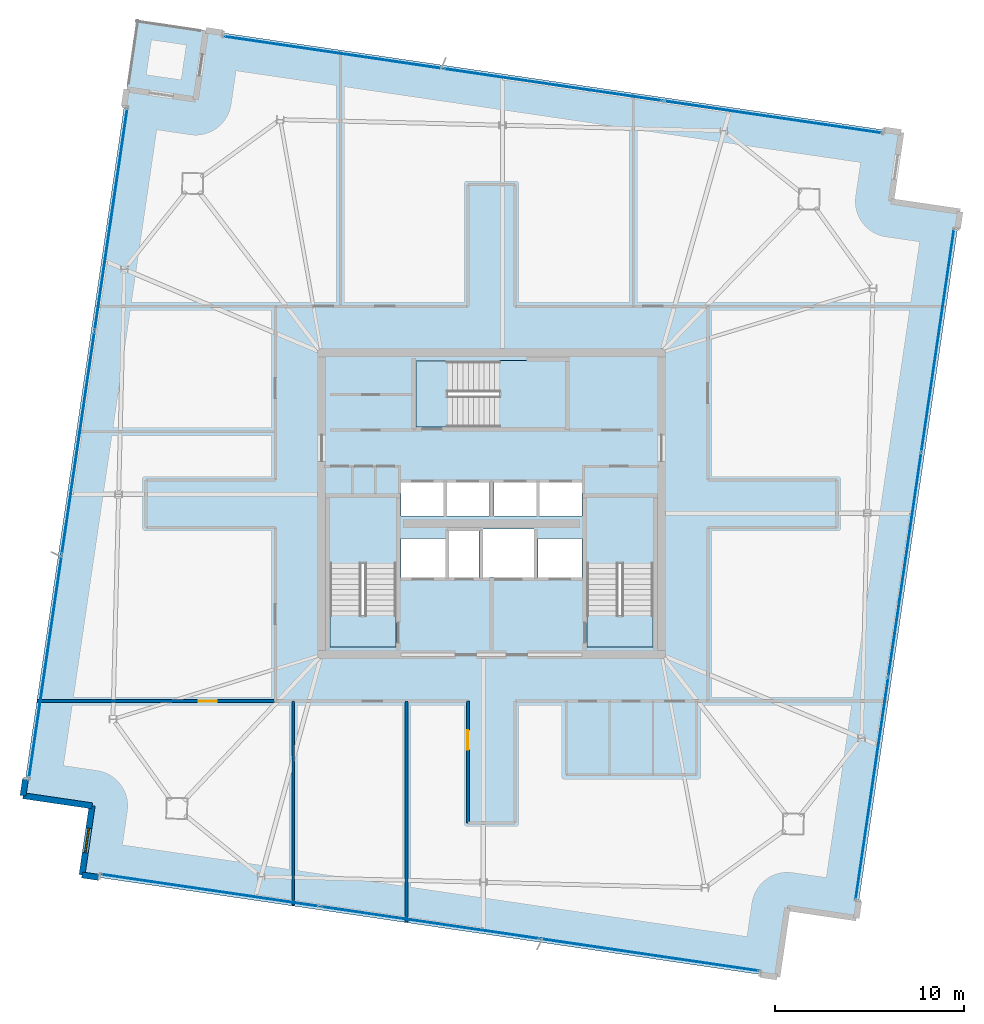
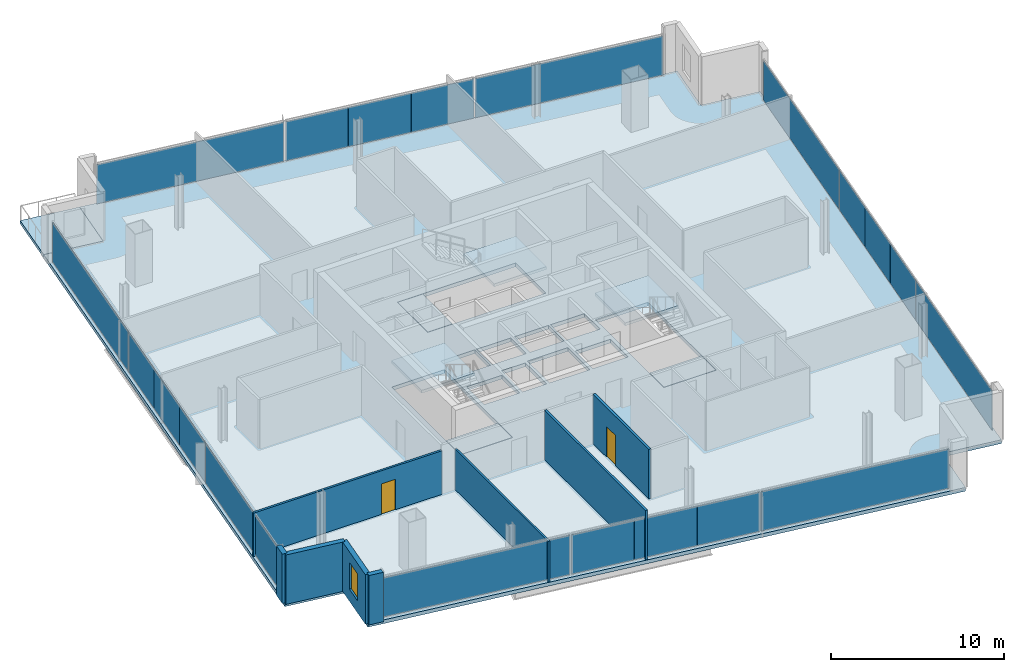
# One storey, part 16 of 22: 20 plates, 8 slabs, 8 walls, 2 doors, 1 window, 3 openings, 7 elements without a shape of their own.
"""IFC4 building model written with IfcOpenShell, lengths in metres."""

from ifc_helpers import new_model, si_unit, direction, frame, frame_2d, origin, origin_2d, place, context, subcontext, project, spatial, polyline, rectangle, outline, extrude, source, transform, mapped, material, layer, layer_set, type_object, element, fill, aggregate, save


model = new_model("IFC4")

# Units and contexts
model_context = context("Model", 3, precision=1e-05, world=origin(), true_north=direction((0.0, 1.0)))
body_context = subcontext(model_context, "Body", "Model", "MODEL_VIEW")
ifc_project = project(units=[si_unit("LENGTHUNIT", "METRE"), si_unit("AREAUNIT", "SQUARE_METRE"), si_unit("VOLUMEUNIT", "CUBIC_METRE"), si_unit("PLANEANGLEUNIT", "RADIAN"), si_unit("MASSUNIT", "GRAM", prefix="KILO")], contexts=[model_context])

# Site, building, storey
site_placement = place(None, origin())
site = spatial("IfcSite", under=ifc_project, at=site_placement, CompositionType="ELEMENT")
building_placement = place(site_placement, origin())
building = spatial("IfcBuilding", under=site, at=building_placement, Name="Haldenkirk Collegiate Tower", CompositionType="ELEMENT")
storey_placement = place(building_placement, frame((0.0, 0.0, 302.699951171875)))
storey = spatial("IfcBuildingStorey", under=building, at=storey_placement, Name="L76", CompositionType="ELEMENT", Elevation=302.699951171875)

# Slab
ifc_material_1 = material(Name="Concrete f'c 40 MPa", Category="concrete")
ifc_layer_1 = layer(ifc_material_1, 0.260009765625)
ifc_layer_set_1 = layer_set([ifc_layer_1], Name="Concrete f'c 40 MPa")
slab_type_1 = type_object("IfcSlabType", Name="SLB-FLR-260", PredefinedType="FLOOR", material=ifc_layer_set_1)
slab_1_placement = place(storey_placement, frame((0.0, 0.0, -0.260009765625)))
element("IfcSlab", 1, at=slab_1_placement, inside=storey, type_object=slab_type_1, Name="L76 composite structural floor slab", PredefinedType="FLOOR", context=body_context, shape_type="SweptSolid", body=[
    extrude(outline(polyline([(55.319091796875, 4.06201171875), (60.808349609375, 41.461181640625), (57.1474609375, 41.99853515625), (57.684814453125, 45.6591796875), (20.879150390625, 51.0615234375), (20.341796875, 47.400634765625), (16.680908203125, 47.93798828125), (11.191650390625, 10.538818359375), (14.8525390625, 10.00146484375), (14.315185546875, 6.3408203125), (51.120849609375, 0.9384765625), (51.658203125, 4.599365234375), (55.319091796875, 4.06201171875)]), holes=[polyline([(27.449951171875, 18.39990234375), (30.949951171875, 18.39990234375), (30.949951171875, 26.300048828125), (27.449951171875, 26.300048828125), (27.449951171875, 18.39990234375)]), polyline([(41.050048828125, 18.39990234375), (44.550048828125, 18.39990234375), (44.550048828125, 26.300048828125), (41.050048828125, 26.300048828125), (41.050048828125, 18.39990234375)]), polyline([(32.0, 30.050048828125), (39.89990234375, 30.050048828125), (39.89990234375, 33.550048828125), (32.0, 33.550048828125), (32.0, 30.050048828125)]), polyline([(33.75, 22.10009765625), (35.35009765625, 22.10009765625), (35.35009765625, 24.550048828125), (33.75, 24.550048828125), (33.75, 22.10009765625)]), polyline([(31.199951171875, 25.35009765625), (33.47998046875, 25.35009765625), (33.47998046875, 27.14990234375), (31.199951171875, 27.14990234375), (31.199951171875, 25.35009765625)]), polyline([(33.60009765625, 25.35009765625), (35.8798828125, 25.35009765625), (35.8798828125, 27.14990234375), (33.60009765625, 27.14990234375), (33.60009765625, 25.35009765625)]), polyline([(36.1201171875, 25.35009765625), (38.39990234375, 25.35009765625), (38.39990234375, 27.14990234375), (36.1201171875, 27.14990234375), (36.1201171875, 25.35009765625)]), polyline([(38.52001953125, 25.35009765625), (40.800048828125, 25.35009765625), (40.800048828125, 27.14990234375), (38.52001953125, 27.14990234375), (38.52001953125, 25.35009765625)]), polyline([(31.199951171875, 22.10009765625), (33.550048828125, 22.10009765625), (33.550048828125, 24.14990234375), (31.199951171875, 24.14990234375), (31.199951171875, 22.10009765625)]), polyline([(38.449951171875, 22.10009765625), (40.800048828125, 22.10009765625), (40.800048828125, 24.14990234375), (38.449951171875, 24.14990234375), (38.449951171875, 22.10009765625)]), polyline([(35.550048828125, 22.10009765625), (38.25, 22.10009765625), (38.25, 24.64990234375), (35.550048828125, 24.64990234375), (35.550048828125, 22.10009765625)])]), origin(), (0.0, 0.0, 1.0), 0.260009765625),
])

# Stair, slab
stair_type = type_object("IfcStairType", Name="STR-DOGLEG-1650", PredefinedType="HALF_TURN_STAIR", material=ifc_material_1)
stair_1_placement = place(storey_placement, origin())
stair_1 = element("IfcStair", 2, at=stair_1_placement, inside=storey, type_object=stair_type, Name="L76 Core Exit Stair ST-1", PredefinedType="HALF_TURN_STAIR")
ifc_layer_2 = layer(ifc_material_1, 0.199951171875)
ifc_layer_set_2 = layer_set([ifc_layer_2], Name="Concrete f'c 40 MPa")
slab_type_2 = type_object("IfcSlabType", Name="SLB-LANDING-200", PredefinedType="LANDING", material=ifc_layer_set_2)
slab_2_placement = place(storey_placement, frame((0.0, 0.0, 1.675048828125)))
slab_2 = element("IfcSlab", 3, at=slab_2_placement, type_object=slab_type_2, Name="ST-1 landing 1", PredefinedType="LANDING", context=body_context, shape_type="SweptSolid", body=[
    extrude(outline(polyline([(30.97509765625, 22.824951171875), (27.425048828125, 22.824951171875), (27.425048828125, 26.324951171875), (30.97509765625, 26.324951171875), (30.97509765625, 22.824951171875)])), origin(), (0.0, 0.0, 1.0), 0.199951171875),
])
aggregate(stair_1, [slab_2])

stair_2_placement = place(storey_placement, origin())
stair_2 = element("IfcStair", 4, at=stair_2_placement, inside=storey, type_object=stair_type, Name="L76 Core Exit Stair ST-2", PredefinedType="HALF_TURN_STAIR")
slab_3_placement = place(storey_placement, frame((0.0, 0.0, 1.675048828125)))
slab_3 = element("IfcSlab", 5, at=slab_3_placement, type_object=slab_type_2, Name="ST-2 landing 1", PredefinedType="LANDING", context=body_context, shape_type="SweptSolid", body=[
    extrude(outline(polyline([(44.574951171875, 22.824951171875), (41.02490234375, 22.824951171875), (41.02490234375, 26.324951171875), (44.574951171875, 26.324951171875), (44.574951171875, 22.824951171875)])), origin(), (0.0, 0.0, 1.0), 0.199951171875),
])
aggregate(stair_2, [slab_3])

stair_3_placement = place(storey_placement, origin())
stair_3 = element("IfcStair", 6, at=stair_3_placement, inside=storey, type_object=stair_type, Name="L76 Core Exit Stair ST-3", PredefinedType="HALF_TURN_STAIR")
slab_4_placement = place(storey_placement, frame((0.0, 0.0, 1.675048828125)))
slab_4 = element("IfcSlab", 7, at=slab_4_placement, type_object=slab_type_2, Name="ST-3 landing 1", PredefinedType="LANDING", context=body_context, shape_type="SweptSolid", body=[
    extrude(outline(polyline([(36.425048828125, 30.02490234375), (36.425048828125, 33.574951171875), (39.925048828125, 33.574951171875), (39.925048828125, 30.02490234375), (36.425048828125, 30.02490234375)])), origin(), (0.0, 0.0, 1.0), 0.199951171875),
])
aggregate(stair_3, [slab_4])

# Slabs
ifc_layer_3 = layer(ifc_material_1, 0.25)
ifc_layer_set_3 = layer_set([ifc_layer_3], Name="Concrete f'c 40 MPa")
slab_type_3 = type_object("IfcSlabType", Name="SLB-STAIRLAND-250", PredefinedType="LANDING", material=ifc_layer_set_3)
slab_5_placement = place(storey_placement, frame((0.0, 0.0, -0.25)))
element("IfcSlab", 8, at=slab_5_placement, inside=storey, type_object=slab_type_3, Name="L76 stair ST1 structural floor landing slab", PredefinedType="LANDING", context=body_context, shape_type="SweptSolid", body=[
    extrude(outline(polyline([(27.4599609375, 18.409912109375), (30.93994140625, 18.409912109375), (30.93994140625, 20.080078125), (27.4599609375, 20.080078125), (27.4599609375, 18.409912109375)])), origin(), (0.0, 0.0, 1.0), 0.25),
])
slab_6_placement = place(storey_placement, frame((0.0, 0.0, -0.25)))
element("IfcSlab", 9, at=slab_6_placement, inside=storey, type_object=slab_type_3, Name="L76 stair ST2 structural floor landing slab", PredefinedType="LANDING", context=body_context, shape_type="SweptSolid", body=[
    extrude(outline(polyline([(41.06005859375, 18.409912109375), (44.5400390625, 18.409912109375), (44.5400390625, 20.080078125), (41.06005859375, 20.080078125), (41.06005859375, 18.409912109375)])), origin(), (0.0, 0.0, 1.0), 0.25),
])
slab_7_placement = place(storey_placement, frame((0.0, 0.0, -0.25)))
element("IfcSlab", 10, at=slab_7_placement, inside=storey, type_object=slab_type_3, Name="L76 stair ST3 structural floor landing slab", PredefinedType="LANDING", context=body_context, shape_type="SweptSolid", body=[
    extrude(outline(polyline([(32.010009765625, 30.06005859375), (33.679931640625, 30.06005859375), (33.679931640625, 33.5400390625), (32.010009765625, 33.5400390625), (32.010009765625, 30.06005859375)])), origin(), (0.0, 0.0, 1.0), 0.25),
])
ifc_layer_4 = layer(ifc_material_1, 0.22998046875)
ifc_layer_set_4 = layer_set([ifc_layer_4], Name="Concrete f'c 40 MPa")
slab_type_4 = type_object("IfcSlabType", Name="SLB-TERR-SPIRAL-230", PredefinedType="FLOOR", material=ifc_layer_set_4)
slab_8_placement = place(storey_placement, frame((0.0, 0.0, -0.22998046875)))
element("IfcSlab", 11, at=slab_8_placement, inside=storey, type_object=slab_type_4, Name="L76 spiralling corner terrace slab", PredefinedType="FLOOR", context=body_context, shape_type="SweptSolid", body=[
    extrude(outline(polyline([(20.341796875, 47.400634765625), (20.879150390625, 51.0615234375), (17.218505859375, 51.598876953125), (16.680908203125, 47.93798828125), (20.341796875, 47.400634765625)])), origin(), (0.0, 0.0, 1.0), 0.22998046875),
])

# Curtain wall, plates
ifc_material_2 = material(Name="Anodised architectural bronze aluminium", Category="aluminium")
curtain_wall_type_1 = type_object("IfcCurtainWallType", Name="CW-SYS2-CONCAVE", PredefinedType="USERDEFINED", material=ifc_material_2)
curtain_wall_1_placement = place(storey_placement, origin())
curtain_wall_1 = element("IfcCurtainWall", 12, at=curtain_wall_1_placement, inside=storey, type_object=curtain_wall_type_1, Name="L76 South concave recessed bronze-anodised curtain wall", ObjectType="UNITISED CURTAIN WALL", PredefinedType="USERDEFINED")
ifc_material_3 = material(Name="Low-E argon triple insulating glass", Category="glass")
ifc_layer_5 = layer(ifc_material_3, 0.0419921875)
ifc_layer_set_5 = layer_set([ifc_layer_5], Name="Low-E argon triple insulating glass")
plate_type_1 = type_object("IfcPlateType", Name="CW-PNL-02", PredefinedType="CURTAIN_PANEL", material=ifc_layer_set_5)
shared_shape_1 = source(origin(), body_context, "Body", "SweptSolid", [
    extrude(rectangle(XDim=11.887451171875, YDim=0.0419921875, at=origin_2d()), origin(), (0.0, 0.0, 1.0), 2.798095703125),
])
plate_1_placement = place(storey_placement, frame((59.62548828125, 34.641845703125, 0.0751953125), z_axis=(0.0, 0.0, 1.0), x_axis=(-0.145219767539, -0.989399423446, 0.0)))
plate_1 = element("IfcPlate", 13, at=plate_1_placement, type_object=plate_type_1, Name="CW-02 panel 1.1", PredefinedType="CURTAIN_PANEL", context=body_context, shape_type="MappedRepresentation", body=[
    mapped(shared_shape_1, transform((0.0, 0.0, 0.0), x_axis=(1.0, 0.0, 0.0), y_axis=(0.0, 1.0, 0.0), z_axis=(0.0, 0.0, 1.0), scale=1.0)),
])
plate_2_placement = place(storey_placement, frame((56.145751953125, 10.93359375, 0.0751953125), z_axis=(0.0, 0.0, 1.0), x_axis=(-0.145219767539, -0.989399423446, 0.0)))
plate_2 = element("IfcPlate", 14, at=plate_2_placement, type_object=plate_type_1, Name="CW-02 panel 3.1", PredefinedType="CURTAIN_PANEL", context=body_context, shape_type="MappedRepresentation", body=[
    mapped(shared_shape_1, transform((0.0, 0.0, 0.0), x_axis=(1.0, 0.0, 0.0), y_axis=(0.0, 1.0, 0.0), z_axis=(0.0, 0.0, 1.0), scale=1.0)),
])
ifc_material_4 = material(Name="Bronze-anodised insulated aluminium spandrel panel", Category="aluminium")
ifc_layer_6 = layer(ifc_material_4, 0.0419921875)
ifc_layer_set_6 = layer_set([ifc_layer_6], Name="Bronze-anodised insulated aluminium spandrel panel")
plate_type_2 = type_object("IfcPlateType", Name="CW-SPD-02", PredefinedType="CURTAIN_PANEL", material=ifc_layer_set_6)
shared_shape_2 = source(origin(), body_context, "Body", "SweptSolid", [
    extrude(rectangle(XDim=3.96240234375, YDim=0.0419921875, at=origin_2d()), origin(), (0.0, 0.0, 1.0), 2.798095703125),
])
plate_3_placement = place(storey_placement, frame((58.463623046875, 26.726806640625, 0.0751953125), z_axis=(0.0, 0.0, 1.0), x_axis=(-0.145219767539, -0.989399423446, 0.0)))
plate_3 = element("IfcPlate", 15, at=plate_3_placement, type_object=plate_type_2, Name="CW-02 spandrel panel 2.1a", PredefinedType="CURTAIN_PANEL", context=body_context, shape_type="MappedRepresentation", body=[
    mapped(shared_shape_2, transform((0.0, 0.0, 0.0), x_axis=(1.0, 0.0, 0.0), y_axis=(0.0, 1.0, 0.0), z_axis=(0.0, 0.0, 1.0), scale=1.0)),
])
plate_4_placement = place(storey_placement, frame((57.307373046875, 18.8486328125, 0.0751953125), z_axis=(0.0, 0.0, 1.0), x_axis=(-0.145219767539, -0.989399423446, 0.0)))
plate_4 = element("IfcPlate", 16, at=plate_4_placement, type_object=plate_type_2, Name="CW-02 spandrel panel 2.1c", PredefinedType="CURTAIN_PANEL", context=body_context, shape_type="MappedRepresentation", body=[
    mapped(shared_shape_2, transform((0.0, 0.0, 0.0), x_axis=(1.0, 0.0, 0.0), y_axis=(0.0, 1.0, 0.0), z_axis=(0.0, 0.0, 1.0), scale=1.0)),
])
shared_shape_3 = source(origin(), body_context, "Body", "SweptSolid", [
    extrude(rectangle(XDim=3.949951171875, YDim=0.0419921875, at=origin_2d()), origin(), (0.0, 0.0, 1.0), 2.798095703125),
])
plate_5_placement = place(storey_placement, frame((57.885498046875, 22.787841796875, 0.0751953125), z_axis=(0.0, 0.0, 1.0), x_axis=(-0.145219767539, -0.989399423446, 0.0)))
plate_5 = element("IfcPlate", 17, at=plate_5_placement, type_object=plate_type_2, Name="CW-02 spandrel panel 2.1b", PredefinedType="CURTAIN_PANEL", context=body_context, shape_type="MappedRepresentation", body=[
    mapped(shared_shape_3, transform((0.0, 0.0, 0.0), x_axis=(1.0, 0.0, 0.0), y_axis=(0.0, 1.0, 0.0), z_axis=(0.0, 0.0, 1.0), scale=1.0)),
])
aggregate(curtain_wall_1, [plate_1, plate_3, plate_5, plate_4, plate_2])

curtain_wall_type_2 = type_object("IfcCurtainWallType", Name="CW-SYS1B-CONVEX-HI", PredefinedType="USERDEFINED", material=ifc_material_2)
curtain_wall_2_placement = place(storey_placement, origin())
curtain_wall_2 = element("IfcCurtainWall", 18, at=curtain_wall_2_placement, inside=storey, type_object=curtain_wall_type_2, Name="L76 Upper tower high-wind convex bronze unitised curtain wall", ObjectType="UNITISED CURTAIN WALL", PredefinedType="USERDEFINED")
ifc_layer_7 = layer(ifc_material_3, 0.048095703125)
ifc_layer_set_7 = layer_set([ifc_layer_7], Name="Low-E argon triple insulating glass")
plate_type_3 = type_object("IfcPlateType", Name="CW-PNL-1B", PredefinedType="CURTAIN_PANEL", material=ifc_layer_set_7)
shared_shape_4 = source(origin(), body_context, "Body", "SweptSolid", [
    extrude(rectangle(XDim=11.672607421875, YDim=0.048095703125, at=origin_2d()), origin(), (0.0, 0.0, 1.0), 2.778076171875),
])
plate_6_placement = place(storey_placement, frame((27.60205078125, 49.892822265625, 0.0849609375), z_axis=(0.0, 0.0, 1.0), x_axis=(0.989399317755, -0.145220487627, 0.0)))
plate_6 = element("IfcPlate", 19, at=plate_6_placement, type_object=plate_type_3, Name="CW-1B panel 1.1", PredefinedType="CURTAIN_PANEL", context=body_context, shape_type="MappedRepresentation", body=[
    mapped(shared_shape_4, transform((0.0, 0.0, 0.0), x_axis=(1.0, 0.0, 0.0), y_axis=(0.0, 1.0, 0.0), z_axis=(0.0, 0.0, 1.0), scale=1.0)),
])
plate_7_placement = place(storey_placement, frame((50.90966796875, 46.4716796875, 0.0849609375), z_axis=(0.0, 0.0, 1.0), x_axis=(0.989399317755, -0.145220487627, 0.0)))
plate_7 = element("IfcPlate", 20, at=plate_7_placement, type_object=plate_type_3, Name="CW-1B panel 3.1", PredefinedType="CURTAIN_PANEL", context=body_context, shape_type="MappedRepresentation", body=[
    mapped(shared_shape_4, transform((0.0, 0.0, 0.0), x_axis=(1.0, 0.0, 0.0), y_axis=(0.0, 1.0, 0.0), z_axis=(0.0, 0.0, 1.0), scale=1.0)),
])

curtain_wall_3_placement = place(storey_placement, origin())
curtain_wall_3 = element("IfcCurtainWall", 21, at=curtain_wall_3_placement, inside=storey, type_object=curtain_wall_type_2, Name="L76 Upper tower high-wind convex bronze unitised curtain wall", ObjectType="UNITISED CURTAIN WALL", PredefinedType="USERDEFINED")
plate_8_placement = place(storey_placement, frame((44.39794921875, 2.107177734375, 0.0849609375), z_axis=(0.0, 0.0, 1.0), x_axis=(-0.989399317755, 0.145220487627, 0.0)))
plate_8 = element("IfcPlate", 22, at=plate_8_placement, type_object=plate_type_3, Name="CW-1B panel 1.1", PredefinedType="CURTAIN_PANEL", context=body_context, shape_type="MappedRepresentation", body=[
    mapped(shared_shape_4, transform((0.0, 0.0, 0.0), x_axis=(1.0, 0.0, 0.0), y_axis=(0.0, 1.0, 0.0), z_axis=(0.0, 0.0, 1.0), scale=1.0)),
])
plate_9_placement = place(storey_placement, frame((21.09033203125, 5.5283203125, 0.0849609375), z_axis=(0.0, 0.0, 1.0), x_axis=(-0.989399317755, 0.145220487627, 0.0)))
plate_9 = element("IfcPlate", 23, at=plate_9_placement, type_object=plate_type_3, Name="CW-1B panel 3.1", PredefinedType="CURTAIN_PANEL", context=body_context, shape_type="MappedRepresentation", body=[
    mapped(shared_shape_4, transform((0.0, 0.0, 0.0), x_axis=(1.0, 0.0, 0.0), y_axis=(0.0, 1.0, 0.0), z_axis=(0.0, 0.0, 1.0), scale=1.0)),
])

# Plate
ifc_layer_8 = layer(ifc_material_4, 0.048095703125)
ifc_layer_set_8 = layer_set([ifc_layer_8], Name="Bronze-anodised insulated aluminium spandrel panel")
plate_type_4 = type_object("IfcPlateType", Name="CW-SPD-1B", PredefinedType="CURTAIN_PANEL", material=ifc_layer_set_8)
shared_shape_5 = source(origin(), body_context, "Body", "SweptSolid", [
    extrude(rectangle(XDim=3.892578125, YDim=0.048095703125, at=origin_2d()), origin(), (0.0, 0.0, 1.0), 2.778076171875),
])
plate_10_placement = place(storey_placement, frame((35.385986328125, 48.750244140625, 0.0849609375), z_axis=(0.0, 0.0, 1.0), x_axis=(0.989399317755, -0.145220487627, 0.0)))
plate_10 = element("IfcPlate", 24, at=plate_10_placement, type_object=plate_type_4, Name="CW-1B spandrel panel 2.1a", PredefinedType="CURTAIN_PANEL", context=body_context, shape_type="MappedRepresentation", body=[
    mapped(shared_shape_5, transform((0.0, 0.0, 0.0), x_axis=(1.0, 0.0, 0.0), y_axis=(0.0, 1.0, 0.0), z_axis=(0.0, 0.0, 1.0), scale=1.0)),
])

plate_11_placement = place(storey_placement, frame((43.12548828125, 47.6142578125, 0.0849609375), z_axis=(0.0, 0.0, 1.0), x_axis=(0.989399317755, -0.145220487627, 0.0)))
plate_11 = element("IfcPlate", 25, at=plate_11_placement, type_object=plate_type_4, Name="CW-1B spandrel panel 2.1c", PredefinedType="CURTAIN_PANEL", context=body_context, shape_type="MappedRepresentation", body=[
    mapped(shared_shape_5, transform((0.0, 0.0, 0.0), x_axis=(1.0, 0.0, 0.0), y_axis=(0.0, 1.0, 0.0), z_axis=(0.0, 0.0, 1.0), scale=1.0)),
])

plate_12_placement = place(storey_placement, frame((36.614013671875, 3.249755859375, 0.0849609375), z_axis=(0.0, 0.0, 1.0), x_axis=(-0.989399317755, 0.145220487627, 0.0)))
plate_12 = element("IfcPlate", 26, at=plate_12_placement, type_object=plate_type_4, Name="CW-1B spandrel panel 2.1a", PredefinedType="CURTAIN_PANEL", context=body_context, shape_type="MappedRepresentation", body=[
    mapped(shared_shape_5, transform((0.0, 0.0, 0.0), x_axis=(1.0, 0.0, 0.0), y_axis=(0.0, 1.0, 0.0), z_axis=(0.0, 0.0, 1.0), scale=1.0)),
])

plate_13_placement = place(storey_placement, frame((28.87451171875, 4.3857421875, 0.0849609375), z_axis=(0.0, 0.0, 1.0), x_axis=(-0.989399317755, 0.145220487627, 0.0)))
plate_13 = element("IfcPlate", 27, at=plate_13_placement, type_object=plate_type_4, Name="CW-1B spandrel panel 2.1c", PredefinedType="CURTAIN_PANEL", context=body_context, shape_type="MappedRepresentation", body=[
    mapped(shared_shape_5, transform((0.0, 0.0, 0.0), x_axis=(1.0, 0.0, 0.0), y_axis=(0.0, 1.0, 0.0), z_axis=(0.0, 0.0, 1.0), scale=1.0)),
])

shared_shape_6 = source(origin(), body_context, "Body", "SweptSolid", [
    extrude(rectangle(XDim=3.8798828125, YDim=0.048095703125, at=origin_2d()), origin(), (0.0, 0.0, 1.0), 2.778076171875),
])
plate_14_placement = place(storey_placement, frame((39.255859375, 48.182373046875, 0.0849609375), z_axis=(0.0, 0.0, 1.0), x_axis=(0.989399317755, -0.145220487627, 0.0)))
plate_14 = element("IfcPlate", 28, at=plate_14_placement, type_object=plate_type_4, Name="CW-1B spandrel panel 2.1b", PredefinedType="CURTAIN_PANEL", context=body_context, shape_type="MappedRepresentation", body=[
    mapped(shared_shape_6, transform((0.0, 0.0, 0.0), x_axis=(1.0, 0.0, 0.0), y_axis=(0.0, 1.0, 0.0), z_axis=(0.0, 0.0, 1.0), scale=1.0)),
])

aggregate(curtain_wall_2, [plate_6, plate_10, plate_14, plate_11, plate_7])

plate_15_placement = place(storey_placement, frame((32.744140625, 3.817626953125, 0.0849609375), z_axis=(0.0, 0.0, 1.0), x_axis=(-0.989399317755, 0.145220487627, 0.0)))
plate_15 = element("IfcPlate", 29, at=plate_15_placement, type_object=plate_type_4, Name="CW-1B spandrel panel 2.1b", PredefinedType="CURTAIN_PANEL", context=body_context, shape_type="MappedRepresentation", body=[
    mapped(shared_shape_6, transform((0.0, 0.0, 0.0), x_axis=(1.0, 0.0, 0.0), y_axis=(0.0, 1.0, 0.0), z_axis=(0.0, 0.0, 1.0), scale=1.0)),
])

aggregate(curtain_wall_3, [plate_8, plate_12, plate_15, plate_13, plate_9])

# Curtain wall, plates
curtain_wall_4_placement = place(storey_placement, origin())
curtain_wall_4 = element("IfcCurtainWall", 30, at=curtain_wall_4_placement, inside=storey, type_object=curtain_wall_type_2, Name="L76 Upper tower high-wind convex bronze unitised curtain wall", ObjectType="UNITISED CURTAIN WALL", PredefinedType="USERDEFINED")
shared_shape_7 = source(origin(), body_context, "Body", "SweptSolid", [
    extrude(rectangle(XDim=11.87255859375, YDim=0.048095703125, at=origin_2d()), origin(), (0.0, 0.0, 1.0), 2.778076171875),
])
plate_16_placement = place(storey_placement, frame((12.375, 17.360595703125, 0.0849609375), z_axis=(0.0, 0.0, 1.0), x_axis=(0.145219767539, 0.989399423446, 0.0)))
plate_16 = element("IfcPlate", 31, at=plate_16_placement, type_object=plate_type_3, Name="CW-1B panel 1.1", PredefinedType="CURTAIN_PANEL", context=body_context, shape_type="MappedRepresentation", body=[
    mapped(shared_shape_7, transform((0.0, 0.0, 0.0), x_axis=(1.0, 0.0, 0.0), y_axis=(0.0, 1.0, 0.0), z_axis=(0.0, 0.0, 1.0), scale=1.0)),
])
plate_17_placement = place(storey_placement, frame((15.85400390625, 41.06396484375, 0.0849609375), z_axis=(0.0, 0.0, 1.0), x_axis=(0.145219767539, 0.989399423446, 0.0)))
plate_17 = element("IfcPlate", 32, at=plate_17_placement, type_object=plate_type_3, Name="CW-1B panel 3.1", PredefinedType="CURTAIN_PANEL", context=body_context, shape_type="MappedRepresentation", body=[
    mapped(shared_shape_7, transform((0.0, 0.0, 0.0), x_axis=(1.0, 0.0, 0.0), y_axis=(0.0, 1.0, 0.0), z_axis=(0.0, 0.0, 1.0), scale=1.0)),
])
shared_shape_8 = source(origin(), body_context, "Body", "SweptSolid", [
    extrude(rectangle(XDim=3.959228515625, YDim=0.048095703125, at=origin_2d()), origin(), (0.0, 0.0, 1.0), 2.778076171875),
])
plate_18_placement = place(storey_placement, frame((13.536865234375, 25.276611328125, 0.0849609375), z_axis=(0.0, 0.0, 1.0), x_axis=(0.145219767539, 0.989399423446, 0.0)))
plate_18 = element("IfcPlate", 33, at=plate_18_placement, type_object=plate_type_4, Name="CW-1B spandrel panel 2.1a", PredefinedType="CURTAIN_PANEL", context=body_context, shape_type="MappedRepresentation", body=[
    mapped(shared_shape_8, transform((0.0, 0.0, 0.0), x_axis=(1.0, 0.0, 0.0), y_axis=(0.0, 1.0, 0.0), z_axis=(0.0, 0.0, 1.0), scale=1.0)),
])
plate_19_placement = place(storey_placement, frame((14.692138671875, 33.14794921875, 0.0849609375), z_axis=(0.0, 0.0, 1.0), x_axis=(0.145219767539, 0.989399423446, 0.0)))
plate_19 = element("IfcPlate", 34, at=plate_19_placement, type_object=plate_type_4, Name="CW-1B spandrel panel 2.1c", PredefinedType="CURTAIN_PANEL", context=body_context, shape_type="MappedRepresentation", body=[
    mapped(shared_shape_8, transform((0.0, 0.0, 0.0), x_axis=(1.0, 0.0, 0.0), y_axis=(0.0, 1.0, 0.0), z_axis=(0.0, 0.0, 1.0), scale=1.0)),
])
shared_shape_9 = source(origin(), body_context, "Body", "SweptSolid", [
    extrude(rectangle(XDim=3.94677734375, YDim=0.048095703125, at=origin_2d()), origin(), (0.0, 0.0, 1.0), 2.778076171875),
])
plate_20_placement = place(storey_placement, frame((14.114501953125, 29.212158203125, 0.0849609375), z_axis=(0.0, 0.0, 1.0), x_axis=(0.145219767539, 0.989399423446, 0.0)))
plate_20 = element("IfcPlate", 35, at=plate_20_placement, type_object=plate_type_4, Name="CW-1B spandrel panel 2.1b", PredefinedType="CURTAIN_PANEL", context=body_context, shape_type="MappedRepresentation", body=[
    mapped(shared_shape_9, transform((0.0, 0.0, 0.0), x_axis=(1.0, 0.0, 0.0), y_axis=(0.0, 1.0, 0.0), z_axis=(0.0, 0.0, 1.0), scale=1.0)),
])
aggregate(curtain_wall_4, [plate_16, plate_18, plate_20, plate_19, plate_17])

# Walls
ifc_material_5 = material(Name="Precast concrete f'c 40 MPa", Category="concrete")
ifc_layer_9 = layer(ifc_material_5, 0.320068359375)
ifc_layer_set_9 = layer_set([ifc_layer_9], Name="Precast concrete f'c 40 MPa")
wall_type_1 = type_object("IfcWallType", Name="WL-EXT-TWR-320", PredefinedType="STANDARD", material=ifc_layer_set_9)
wall_1_placement = place(storey_placement, frame((11.191650390625, 10.538818359375, 0.0), z_axis=(0.0, 0.0, 1.0), x_axis=(0.145408079603, 0.989371765509, 0.0)))
element("IfcWall", 36, at=wall_1_placement, inside=storey, type_object=wall_type_1, Name="L76 precast corner pier NL", PredefinedType="STANDARD", context=body_context, shape_type="SweptSolid", body=[
    extrude(rectangle(XDim=0.89990234375, YDim=0.320068359375, at=frame_2d((0.449951171875, 0.0))), origin(), (0.0, 0.0, 1.0), 3.489990234375),
])
wall_2_placement = place(storey_placement, frame((14.8525390625, 10.00146484375, 0.0), z_axis=(0.0, 0.0, 1.0), x_axis=(-0.989398487116, 0.145226146725, 0.0)))
element("IfcWall", 37, at=wall_2_placement, inside=storey, type_object=wall_type_1, Name="L76 bronze precast notch wall 08", PredefinedType="STANDARD", context=body_context, shape_type="SweptSolid", body=[
    extrude(rectangle(XDim=3.7001953125, YDim=0.320068359375, at=frame_2d((1.85009765625, 0.0))), origin(), (0.0, 0.0, 1.0), 3.489990234375),
])

# Wall, opening, window
wall_3_placement = place(storey_placement, frame((14.315185546875, 6.3408203125, 0.0), z_axis=(0.0, 0.0, 1.0), x_axis=(0.145235628047, 0.98939709538, 0.0)))
wall_3 = element("IfcWall", 38, at=wall_3_placement, inside=storey, type_object=wall_type_1, Name="L76 bronze precast notch wall 09", PredefinedType="STANDARD", context=body_context, shape_type="SweptSolid", body=[
    extrude(rectangle(XDim=3.699951171875, YDim=0.320068359375, at=frame_2d((1.85009765625, 0.0))), origin(), (0.0, 0.0, 1.0), 3.489990234375),
])
opening_1_placement = place(wall_3_placement, frame((1.199951171875, 0.0, 0.85009765625)))
opening_1 = element("IfcOpeningElement", 39, at=opening_1_placement, cuts=wall_3, Name="Opening W-08", PredefinedType="OPENING", context=body_context, shape_type="SweptSolid", body=[
    extrude(rectangle(XDim=1.300048828125, YDim=1.89990234375, at=frame_2d((0.64990234375, 0.949951171875))), frame((0.0, 0.169921875, 0.0), z_axis=(0.0, -1.0, 0.0), x_axis=(1.0, 0.0, 0.0)), (0.0, 0.0, 1.0), 0.340087890625),
])
ifc_layer_10 = layer(ifc_material_3, 0.090087890625)
ifc_layer_set_10 = layer_set([ifc_layer_10], Name="Low-E argon triple insulating glass")
window_type = type_object("IfcWindowType", Name="WN-Z6-1300X1900", PartitioningType="SINGLE_PANEL", PredefinedType="WINDOW", material=ifc_layer_set_10)
window_placement = place(opening_1_placement, origin())
window = element("IfcWindow", 40, at=window_placement, inside=storey, type_object=window_type, Name="L76 precast-frame academic window 8", OverallHeight=1.89990234375, OverallWidth=1.300048828125, PartitioningType="SINGLE_PANEL", PredefinedType="WINDOW", context=body_context, shape_type="SweptSolid", body=[
    extrude(rectangle(XDim=1.300048828125, YDim=1.89990234375, at=frame_2d((0.64990234375, 0.949951171875))), frame((0.0, 0.030029296875, 0.0), z_axis=(0.0, -1.0, 0.0), x_axis=(1.0, 0.0, 0.0)), (0.0, 0.0, 1.0), 0.06005859375),
])
fill(opening_1, window)

# Wall
wall_4_placement = place(storey_placement, frame((15.205810546875, 6.2099609375, 0.0), z_axis=(0.0, 0.0, 1.0), x_axis=(-0.989377499091, 0.145369062366, 0.0)))
element("IfcWall", 41, at=wall_4_placement, inside=storey, type_object=wall_type_1, Name="L76 precast corner pier WR", PredefinedType="STANDARD", context=body_context, shape_type="SweptSolid", body=[
    extrude(rectangle(XDim=0.900146484375, YDim=0.320068359375, at=frame_2d((0.4501953125, 0.0))), origin(), (0.0, 0.0, 1.0), 3.489990234375),
])

# Wall, opening, door
ifc_material_6 = material(Name="Acoustic fire-rated gypsum partition", Category="concrete")
ifc_layer_11 = layer(ifc_material_6, 0.159912109375)
ifc_layer_set_11 = layer_set([ifc_layer_11], Name="Acoustic fire-rated gypsum partition")
wall_type_2 = type_object("IfcWallType", Name="WL-INT-CORR-160", PredefinedType="PARTITIONING", material=ifc_layer_set_11)
wall_5_placement = place(storey_placement, frame((34.75, 9.10009765625, 0.0), z_axis=(0.0, 0.0, 1.0), x_axis=(0.0, 1.0, 0.0)))
wall_5 = element("IfcWall", 42, at=wall_5_placement, inside=storey, type_object=wall_type_2, Name="L76 interior partition IW-L76-SPW", PredefinedType="PARTITIONING", context=body_context, shape_type="SweptSolid", body=[
    extrude(rectangle(XDim=6.449951171875, YDim=0.159912109375, at=frame_2d((3.22509765625, 0.0))), origin(), (0.0, 0.0, 1.0), 3.489990234375),
])
opening_2_placement = place(wall_5_placement, frame((3.861083984375, 0.0, 0.0)))
opening_2 = element("IfcOpeningElement", 43, at=opening_2_placement, cuts=wall_5, Name="Opening D-09", PredefinedType="OPENING", context=body_context, shape_type="SweptSolid", body=[
    extrude(rectangle(XDim=1.050048828125, YDim=2.14990234375, at=frame_2d((0.52490234375, 1.074951171875))), frame((0.0, 0.08984375, 0.0), z_axis=(0.0, -1.0, 0.0), x_axis=(1.0, 0.0, 0.0)), (0.0, 0.0, 1.0), 0.179931640625),
])
ifc_material_7 = material(Name="Solid-core architectural oak fire door", Category="wood")
ifc_layer_12 = layer(ifc_material_7, 0.06005859375)
ifc_layer_set_12 = layer_set([ifc_layer_12], Name="Solid-core architectural oak fire door")
door_type_1 = type_object("IfcDoorType", Name="DR-INT-FD60-1050", OperationType="NOTDEFINED", PredefinedType="DOOR", material=ifc_layer_set_12)
door_1_placement = place(opening_2_placement, origin())
door_1 = element("IfcDoor", 44, at=door_1_placement, inside=storey, type_object=door_type_1, Name="L76 Ergonomics Clinic 3 door", OperationType="SINGLE_SWING_RIGHT", OverallHeight=2.14990234375, OverallWidth=1.050048828125, PredefinedType="DOOR", context=body_context, shape_type="SweptSolid", body=[
    extrude(rectangle(XDim=1.050048828125, YDim=2.14990234375, at=frame_2d((0.52490234375, 1.074951171875))), frame((0.0, 0.02490234375, 0.0), z_axis=(0.0, -1.0, 0.0), x_axis=(1.0, 0.0, 0.0)), (0.0, 0.0, 1.0), 0.050048828125),
])
fill(opening_2, door_1)

ifc_layer_13 = layer(ifc_material_6, 0.139892578125)
ifc_layer_set_13 = layer_set([ifc_layer_13], Name="Acoustic fire-rated gypsum partition")
wall_type_3 = type_object("IfcWallType", Name="WL-INT-DIV-140", PredefinedType="PARTITIONING", material=ifc_layer_set_13)
wall_6_placement = place(storey_placement, frame((11.9677734375, 15.550048828125, 0.0), z_axis=(0.0, 0.0, 1.0), x_axis=(1.0, 0.0, 0.0)))
wall_6 = element("IfcWall", 45, at=wall_6_placement, inside=storey, type_object=wall_type_3, Name="L76 interior partition IW-L76-BWS", PredefinedType="PARTITIONING", context=body_context, shape_type="SweptSolid", body=[
    extrude(rectangle(XDim=12.582275390625, YDim=0.139892578125, at=frame_2d((6.291015625, 0.0))), origin(), (0.0, 0.0, 1.0), 3.0791015625),
])
opening_3_placement = place(wall_6_placement, frame((8.521240234375, 0.0, 0.0)))
opening_3 = element("IfcOpeningElement", 46, at=opening_3_placement, cuts=wall_6, Name="Opening D-12", PredefinedType="OPENING", context=body_context, shape_type="SweptSolid", body=[
    extrude(rectangle(XDim=0.949951171875, YDim=2.14990234375, at=frame_2d((0.47509765625, 1.074951171875))), frame((0.0, 0.079833984375, 0.0), z_axis=(0.0, -1.0, 0.0), x_axis=(1.0, 0.0, 0.0)), (0.0, 0.0, 1.0), 0.159912109375),
])
ifc_layer_14 = layer(ifc_material_7, 0.06005859375)
ifc_layer_set_14 = layer_set([ifc_layer_14], Name="Solid-core architectural oak fire door")
door_type_2 = type_object("IfcDoorType", Name="DR-INT-STD-950", OperationType="NOTDEFINED", PredefinedType="DOOR", material=ifc_layer_set_14)
door_2_placement = place(opening_3_placement, origin())
door_2 = element("IfcDoor", 47, at=door_2_placement, inside=storey, type_object=door_type_2, Name="L76 Student Wellness Clinic 1 door", OperationType="SINGLE_SWING_RIGHT", OverallHeight=2.14990234375, OverallWidth=0.949951171875, PredefinedType="DOOR", context=body_context, shape_type="SweptSolid", body=[
    extrude(rectangle(XDim=0.949951171875, YDim=2.14990234375, at=frame_2d((0.47509765625, 1.074951171875))), frame((0.0, 0.02490234375, 0.0), z_axis=(0.0, -1.0, 0.0), x_axis=(1.0, 0.0, 0.0)), (0.0, 0.0, 1.0), 0.050048828125),
])
fill(opening_3, door_2)

# Walls
wall_7_placement = place(storey_placement, frame((31.5, 3.85888671875, 0.0), z_axis=(0.0, 0.0, 1.0), x_axis=(0.0, 1.0, 0.0)))
element("IfcWall", 48, at=wall_7_placement, inside=storey, type_object=wall_type_3, Name="L76 interior partition IW-L76-RS2", PredefinedType="PARTITIONING", context=body_context, shape_type="SweptSolid", body=[
    extrude(rectangle(XDim=11.691162109375, YDim=0.139892578125, at=frame_2d((5.845703125, 0.0))), origin(), (0.0, 0.0, 1.0), 3.489990234375),
])
ifc_layer_15 = layer(ifc_material_6, 0.1201171875)
ifc_layer_set_15 = layer_set([ifc_layer_15], Name="Acoustic fire-rated gypsum partition")
wall_type_4 = type_object("IfcWallType", Name="WL-INT-WET-120", PredefinedType="PARTITIONING", material=ifc_layer_set_15)
wall_8_placement = place(storey_placement, frame((25.5, 4.739501953125, 0.0), z_axis=(0.0, 0.0, 1.0), x_axis=(0.0, 1.0, 0.0)))
element("IfcWall", 49, at=wall_8_placement, inside=storey, type_object=wall_type_4, Name="L76 interior partition IW-L76-RS1", PredefinedType="PARTITIONING", context=body_context, shape_type="SweptSolid", body=[
    extrude(rectangle(XDim=10.810546875, YDim=0.1201171875, at=frame_2d((5.4052734375, 0.0))), origin(), (0.0, 0.0, 1.0), 2.8681640625),
])

save(model, "model.ifc")
